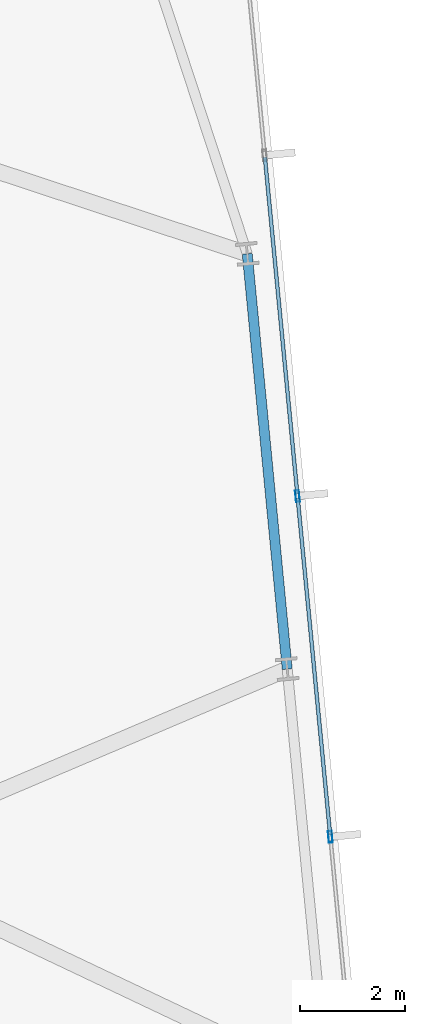
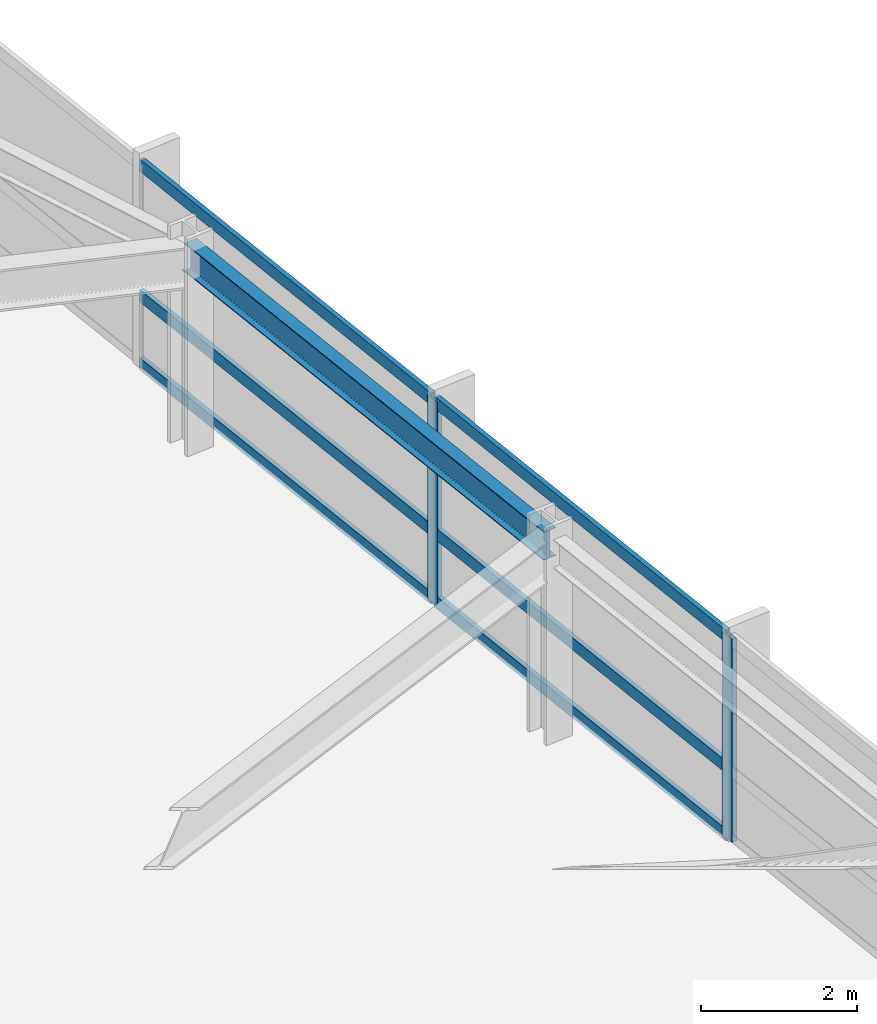
# One storey, part 17 of 33: 8 members, 1 beam, 1 element without a shape of its own.
"""IFC4 building model written with IfcOpenShell, lengths in metres."""

import ifcopenshell
import ifcopenshell.guid

model = None  # the IFC model being written
_history = None  # IfcOwnerHistory: only IFC2X3 demands one
_inside = {}  # id of a spatial element -> (the spatial element, [elements in it])
_under = {}  # id of a project, library or spatial element -> (it, [spatial elements below it])
_declared = {}  # id of a project -> (the project, [libraries it declares])
_typed = {}  # id of a type object -> (the type object, [elements of that type])
_made_of = {}  # id of a material, layer set ... -> (it, [elements and type objects made of it])


def new_model(schema):
    """Start an empty IFC model of exactly this schema.

    Asked for "IFC4X3", IfcOpenShell would pick the latest addendum, in which some entities
    have other attributes; the version numbers below select the first issue.
    IFC2X3 requires an IfcOwnerHistory on every rooted entity: one is made here for all.
    """
    global model, _history
    if schema == "IFC4X3":
        model = ifcopenshell.file(schema_version=(4, 3, 0, 0))
    else:
        model = ifcopenshell.file(schema=schema)
    _inside.clear()
    _under.clear()
    _declared.clear()
    _typed.clear()
    _made_of.clear()
    _history = None
    if model.schema == "IFC2X3":
        org = make("IfcOrganization", Name="unknown")
        user = make(
            "IfcPersonAndOrganization",
            ThePerson=make("IfcPerson", FamilyName="unknown"),
            TheOrganization=org,
        )
        app = make(
            "IfcApplication",
            ApplicationDeveloper=org,
            Version="unknown",
            ApplicationFullName="unknown",
            ApplicationIdentifier="unknown",
        )
        _history = make(
            "IfcOwnerHistory",
            OwningUser=user,
            OwningApplication=app,
            ChangeAction="ADDED",
            CreationDate=0,
        )
    return model


def make(cls, **values):
    """One entity of the class cls with the attributes given. An attribute that is None is left unset."""
    return model.create_entity(
        cls, **{name: value for name, value in values.items() if value is not None}
    )


def rooted(cls, **values):
    """An entity with a GlobalId (a new one), such as an element, a storey or a relation."""
    return make(cls, GlobalId=ifcopenshell.guid.new(), OwnerHistory=_history, **values)


def si_unit(unit_type, name, prefix=None):
    """IfcSIUnit, for example si_unit("LENGTHUNIT", "METRE", prefix="MILLI")."""
    return make("IfcSIUnit", UnitType=unit_type, Prefix=prefix, Name=name)


def assignment(units):
    """IfcUnitAssignment: the units of a project."""
    return None if units is None else make("IfcUnitAssignment", Units=units)


def point(xyz):
    """IfcCartesianPoint."""
    return None if xyz is None else make("IfcCartesianPoint", Coordinates=xyz)


def direction(xyz):
    """IfcDirection."""
    return None if xyz is None else make("IfcDirection", DirectionRatios=xyz)


def frame(location, z_axis=None, x_axis=None):
    """IfcAxis2Placement3D, a coordinate frame: its origin and axes. An axis left out is left unset."""
    return make(
        "IfcAxis2Placement3D",
        Location=point(location),
        Axis=direction(z_axis),
        RefDirection=direction(x_axis),
    )


def frame_2d(location, x_axis=None):
    """IfcAxis2Placement2D, a coordinate frame in the plane: its origin and x axis."""
    return make(
        "IfcAxis2Placement2D", Location=point(location), RefDirection=direction(x_axis)
    )


def origin():
    """The frame at (0, 0, 0) with its axes left unset."""
    return frame((0.0, 0.0, 0.0))


def origin_2d():
    """The frame at (0, 0) in the plane with its x axis left unset."""
    return frame_2d((0.0, 0.0))


def place(relative_to, where):
    """IfcLocalPlacement: puts the frame where relative to a parent placement (None: the world)."""
    return make(
        "IfcLocalPlacement", PlacementRelTo=relative_to, RelativePlacement=where
    )


def context(
    kind, dimensions, precision=None, world=None, true_north=None, identifier=None
):
    """IfcGeometricRepresentationContext, for example the 3D "Model" context."""
    return make(
        "IfcGeometricRepresentationContext",
        ContextIdentifier=identifier,
        ContextType=kind,
        CoordinateSpaceDimension=dimensions,
        Precision=precision,
        WorldCoordinateSystem=world,
        TrueNorth=true_north,
    )


def subcontext(parent, identifier, kind, view, scale=None):
    """IfcGeometricRepresentationSubContext, for example "Body" below "Model"."""
    return make(
        "IfcGeometricRepresentationSubContext",
        ContextIdentifier=identifier,
        ContextType=kind,
        ParentContext=parent,
        TargetScale=scale,
        TargetView=view,
    )


def project(units=None, contexts=None):
    """IfcProject with its units and contexts."""
    return rooted(
        "IfcProject",
        Name="project",
        RepresentationContexts=contexts,
        UnitsInContext=assignment(units),
    )


def spatial(cls, under=None, at=None, **own):
    """A site, building, storey or space (cls), placed at a placement, below another one or the project."""
    s = rooted(cls, ObjectPlacement=at, **own)
    if under is not None:
        _under.setdefault(under.id(), (under, []))[1].append(s)
    return s


def profile(cls, at=None, kind="AREA", **sizes):
    """A parametric profile (cls). Its sizes go by their IFC names, for example OverallWidth=200.0."""
    return make(cls, ProfileType=kind, Position=at, **sizes)


def hollow_rectangle(**sizes):
    """IfcRectangleHollowProfileDef."""
    return profile("IfcRectangleHollowProfileDef", **sizes)


def i_section(**sizes):
    """IfcIShapeProfileDef."""
    return profile("IfcIShapeProfileDef", **sizes)


def extrude(swept, where, along, depth):
    """IfcExtrudedAreaSolid: the profile swept, set in the frame where, extruded along a direction by depth."""
    return make(
        "IfcExtrudedAreaSolid",
        SweptArea=swept,
        Position=where,
        ExtrudedDirection=direction(along),
        Depth=depth,
    )


def shape(context_of_items, identifier, shape_type, items):
    """IfcShapeRepresentation: the items that make up one representation, for example the "Body"."""
    return make(
        "IfcShapeRepresentation",
        ContextOfItems=context_of_items,
        RepresentationIdentifier=identifier,
        RepresentationType=shape_type,
        Items=items,
    )


def material(Name=None, Category=None):
    """IfcMaterial."""
    return make("IfcMaterial", Name=Name, Category=Category)


def material_profile(
    of_material, cross_section, Name=None, Category=None, Priority=None
):
    """IfcMaterialProfile: a cross section and its material."""
    return make(
        "IfcMaterialProfile",
        Name=Name,
        Material=of_material,
        Profile=cross_section,
        Priority=Priority,
        Category=Category,
    )


def profile_set(profiles, Name=None, composite=None):
    """IfcMaterialProfileSet."""
    return make(
        "IfcMaterialProfileSet",
        Name=Name,
        MaterialProfiles=profiles,
        CompositeProfile=composite,
    )


def made_of(thing, what):
    """Note that an element or type object is made of a material, layer set ...; save() writes the relation."""
    if what is not None:
        _made_of.setdefault(what.id(), (what, []))[1].append(thing)
    return thing


def type_object(cls, material=None, **own):
    """A type object (cls), such as IfcWallType, which elements share."""
    return made_of(rooted(cls, **own), material)


def element(
    cls,
    number,
    at=None,
    inside=None,
    cuts=None,
    type_object=None,
    material=None,
    context=None,
    identifier="Body",
    shape_type=None,
    held_by="IfcProductDefinitionShape",
    body=None,
    shapes=None,
    **own,
):
    """One element of the class cls, such as IfcWall. Its Tag is "e" and its number.

    at: its placement. inside: the storey or other place that contains it. cuts: it is an
    opening in that element (IfcRelVoidsElement). A single representation is given by context,
    identifier, shape_type and body (its items); several are given by shapes. held_by: the class
    of the entity that holds the representations. save() writes the other relations.
    """
    e = rooted(cls, Tag="e%d" % number, ObjectPlacement=at, **own)
    if body is not None:
        shapes = [shape(context, identifier, shape_type, body)]
    if shapes is not None:
        e.Representation = make(held_by, Representations=shapes)
    if inside is not None:
        _inside.setdefault(inside.id(), (inside, []))[1].append(e)
    if cuts is not None:
        rooted(
            "IfcRelVoidsElement", RelatingBuildingElement=cuts, RelatedOpeningElement=e
        )
    if type_object is not None:
        _typed.setdefault(type_object.id(), (type_object, []))[1].append(e)
    return made_of(e, material)


def aggregate(whole, parts):
    """IfcRelAggregates: a whole, such as a stair, and the parts it consists of."""
    return rooted("IfcRelAggregates", RelatingObject=whole, RelatedObjects=parts)


def save(model, path):
    """Write the relations noted so far, then the file.

    IfcRelAggregates (storeys below a building ...), IfcRelContainedInSpatialStructure (elements
    in a storey), IfcRelDefinesByType, IfcRelAssociatesMaterial and IfcRelDeclares: one each for
    every whole, place, type object, material and project.
    """
    for whole, parts in _under.values():
        aggregate(whole, parts)
    for where, things in _inside.values():
        rooted(
            "IfcRelContainedInSpatialStructure",
            RelatedElements=things,
            RelatingStructure=where,
        )
    for kind, things in _typed.values():
        rooted("IfcRelDefinesByType", RelatedObjects=things, RelatingType=kind)
    for what, things in _made_of.values():
        rooted("IfcRelAssociatesMaterial", RelatedObjects=things, RelatingMaterial=what)
    for by, libraries in _declared.values():
        rooted("IfcRelDeclares", RelatingContext=by, RelatedDefinitions=libraries)
    model.write(path)


model = new_model("IFC4")

# Units and contexts
model_context = context("Model", 3, precision=1e-05, world=origin(), true_north=direction((0.0, 1.0)))
body_context = subcontext(model_context, "Body", "Model", "MODEL_VIEW")
ifc_project = project(units=[si_unit("LENGTHUNIT", "METRE"), si_unit("AREAUNIT", "SQUARE_METRE"), si_unit("VOLUMEUNIT", "CUBIC_METRE"), si_unit("PLANEANGLEUNIT", "RADIAN"), si_unit("MASSUNIT", "GRAM", prefix="KILO")], contexts=[model_context])

# Site, building, storey
site_placement = place(None, origin())
site = spatial("IfcSite", under=ifc_project, at=site_placement, CompositionType="ELEMENT")
building_placement = place(site_placement, origin())
building = spatial("IfcBuilding", under=site, at=building_placement, Name="Yelkora Congress Tower", CompositionType="ELEMENT")
storey_placement = place(building_placement, frame((0.0, 0.0, 89.699951171875)))
storey = spatial("IfcBuildingStorey", under=building, at=storey_placement, Name="L23", CompositionType="ELEMENT", Elevation=89.699951171875)

# Beam
ifc_material_1 = material(Name="Steel S355J2", Category="steel")
ifc_material_profile_1 = material_profile(ifc_material_1, i_section(OverallWidth=0.18994140625, OverallDepth=0.449951171875, WebThickness=0.009521484375, FlangeThickness=0.0146484375, FilletRadius=0.02099609375, at=origin_2d()), Name="IPE 450")
ifc_profile_set_1 = profile_set([ifc_material_profile_1], Name="Steel S355J2")
beam_type = type_object("IfcBeamType", Name="BM-SPAN-IPE450", PredefinedType="SPANDREL", material=ifc_profile_set_1)
beam_placement = place(storey_placement, frame((75.28173828125, 32.721923828125, 2.955078125), z_axis=(-0.09583684824, 0.995397055712, 0.0), x_axis=(-0.995397055712, -0.09583684824, 0.0)))
element("IfcBeam", 1, at=beam_placement, inside=storey, type_object=beam_type, Name="L23 Perimeter Beam 12", PredefinedType="SPANDREL", context=body_context, shape_type="SweptSolid", body=[
    extrude(i_section(OverallWidth=0.18994140625, OverallDepth=0.449951171875, WebThickness=0.009521484375, FlangeThickness=0.0146484375, FilletRadius=0.02099609375, at=origin_2d()), origin(), (0.0, 0.0, 1.0), 7.925048828125),
])

# Curtain wall, members
ifc_material_2 = material(Name="Anodised aluminium and insulated glass", Category="aluminium")
curtain_wall_type = type_object("IfcCurtainWallType", Name="CW-SYS-SKY", PredefinedType="NOTDEFINED", material=ifc_material_2)
curtain_wall_placement = place(storey_placement, origin())
curtain_wall = element("IfcCurtainWall", 2, at=curtain_wall_placement, inside=storey, type_object=curtain_wall_type, Name="L23 Unitised Curtain Wall 15", PredefinedType="NOTDEFINED")
ifc_material_3 = material(Name="Anodised aluminium 6063-T6", Category="aluminium")
ifc_material_profile_2 = material_profile(ifc_material_3, hollow_rectangle(XDim=0.074951171875, YDim=0.219970703125, WallThickness=0.0048828125, at=origin_2d()), Name="ALU 75x220x5")
ifc_profile_set_2 = profile_set([ifc_material_profile_2], Name="Anodised aluminium 6063-T6")
member_type_1 = type_object("IfcMemberType", Name="MEM-ML-SKY", PredefinedType="MULLION", material=ifc_profile_set_2)
member_1_placement = place(storey_placement, frame((75.4775390625, 36.0078125, 0.0), z_axis=(0.0, 0.0, 1.0), x_axis=(0.995396507508, 0.095842541913, 0.0)))
member_1 = element("IfcMember", 3, at=member_1_placement, type_object=member_type_1, Name="CW-SKY mullion 3", PredefinedType="MULLION", context=body_context, shape_type="SweptSolid", body=[
    extrude(hollow_rectangle(XDim=0.074951171875, YDim=0.219970703125, WallThickness=0.0048828125, at=origin_2d()), origin(), (0.0, 0.0, 1.0), 3.179931640625),
])
member_2_placement = place(storey_placement, frame((76.10107421875, 29.533935546875, 0.0), z_axis=(0.0, 0.0, 1.0), x_axis=(0.995396507508, 0.095842541913, 0.0)))
member_2 = element("IfcMember", 4, at=member_2_placement, type_object=member_type_1, Name="CW-SKY mullion 4", PredefinedType="MULLION", context=body_context, shape_type="SweptSolid", body=[
    extrude(hollow_rectangle(XDim=0.074951171875, YDim=0.219970703125, WallThickness=0.0048828125, at=origin_2d()), origin(), (0.0, 0.0, 1.0), 3.179931640625),
])
ifc_material_profile_3 = material_profile(ifc_material_3, hollow_rectangle(XDim=0.070068359375, YDim=0.18994140625, WallThickness=0.00390625, at=origin_2d()), Name="ALU 70x190x4")
ifc_profile_set_3 = profile_set([ifc_material_profile_3], Name="Anodised aluminium 6063-T6")
member_type_2 = type_object("IfcMemberType", Name="MEM-TR-SKY", PredefinedType="USERDEFINED", material=ifc_profile_set_3)
member_3_placement = place(storey_placement, frame((74.85791015625, 42.444580078125, 0.03515625), z_axis=(0.095848441597, -0.995395939435, 0.0), x_axis=(0.995395939435, 0.095848441597, 0.0)))
member_3 = element("IfcMember", 5, at=member_3_placement, type_object=member_type_2, Name="CW-SKY transom 2.1", ObjectType="TRANSOM", PredefinedType="USERDEFINED", context=body_context, shape_type="SweptSolid", body=[
    extrude(hollow_rectangle(XDim=0.070068359375, YDim=0.18994140625, WallThickness=0.00390625, at=origin_2d()), origin(), (0.0, 0.0, 1.0), 6.428955078125),
])
member_4_placement = place(storey_placement, frame((74.85791015625, 42.444580078125, 1.10009765625), z_axis=(0.095848441597, -0.995395939435, 0.0), x_axis=(0.995395939435, 0.095848441597, 0.0)))
member_4 = element("IfcMember", 6, at=member_4_placement, type_object=member_type_2, Name="CW-SKY transom 2.2", ObjectType="TRANSOM", PredefinedType="USERDEFINED", context=body_context, shape_type="SweptSolid", body=[
    extrude(hollow_rectangle(XDim=0.070068359375, YDim=0.18994140625, WallThickness=0.00390625, at=origin_2d()), origin(), (0.0, 0.0, 1.0), 6.428955078125),
])
member_5_placement = place(storey_placement, frame((74.85791015625, 42.444580078125, 3.14501953125), z_axis=(0.095848441597, -0.995395939435, 0.0), x_axis=(0.995395939435, 0.095848441597, 0.0)))
member_5 = element("IfcMember", 7, at=member_5_placement, type_object=member_type_2, Name="CW-SKY transom 2.3", ObjectType="TRANSOM", PredefinedType="USERDEFINED", context=body_context, shape_type="SweptSolid", body=[
    extrude(hollow_rectangle(XDim=0.070068359375, YDim=0.18994140625, WallThickness=0.00390625, at=origin_2d()), origin(), (0.0, 0.0, 1.0), 6.428955078125),
])
member_6_placement = place(storey_placement, frame((75.481201171875, 35.970458984375, 0.03515625), z_axis=(0.095848441597, -0.995395939435, 0.0), x_axis=(0.995395939435, 0.095848441597, 0.0)))
member_6 = element("IfcMember", 8, at=member_6_placement, type_object=member_type_2, Name="CW-SKY transom 3.1", ObjectType="TRANSOM", PredefinedType="USERDEFINED", context=body_context, shape_type="SweptSolid", body=[
    extrude(hollow_rectangle(XDim=0.070068359375, YDim=0.18994140625, WallThickness=0.00390625, at=origin_2d()), origin(), (0.0, 0.0, 1.0), 6.428955078125),
])
member_7_placement = place(storey_placement, frame((75.481201171875, 35.970458984375, 1.10009765625), z_axis=(0.095848441597, -0.995395939435, 0.0), x_axis=(0.995395939435, 0.095848441597, 0.0)))
member_7 = element("IfcMember", 9, at=member_7_placement, type_object=member_type_2, Name="CW-SKY transom 3.2", ObjectType="TRANSOM", PredefinedType="USERDEFINED", context=body_context, shape_type="SweptSolid", body=[
    extrude(hollow_rectangle(XDim=0.070068359375, YDim=0.18994140625, WallThickness=0.00390625, at=origin_2d()), origin(), (0.0, 0.0, 1.0), 6.428955078125),
])
member_8_placement = place(storey_placement, frame((75.481201171875, 35.970458984375, 3.14501953125), z_axis=(0.095848441597, -0.995395939435, 0.0), x_axis=(0.995395939435, 0.095848441597, 0.0)))
member_8 = element("IfcMember", 10, at=member_8_placement, type_object=member_type_2, Name="CW-SKY transom 3.3", ObjectType="TRANSOM", PredefinedType="USERDEFINED", context=body_context, shape_type="SweptSolid", body=[
    extrude(hollow_rectangle(XDim=0.070068359375, YDim=0.18994140625, WallThickness=0.00390625, at=origin_2d()), origin(), (0.0, 0.0, 1.0), 6.428955078125),
])
aggregate(curtain_wall, [member_1, member_2, member_3, member_4, member_5, member_6, member_7, member_8])

save(model, "model.ifc")
